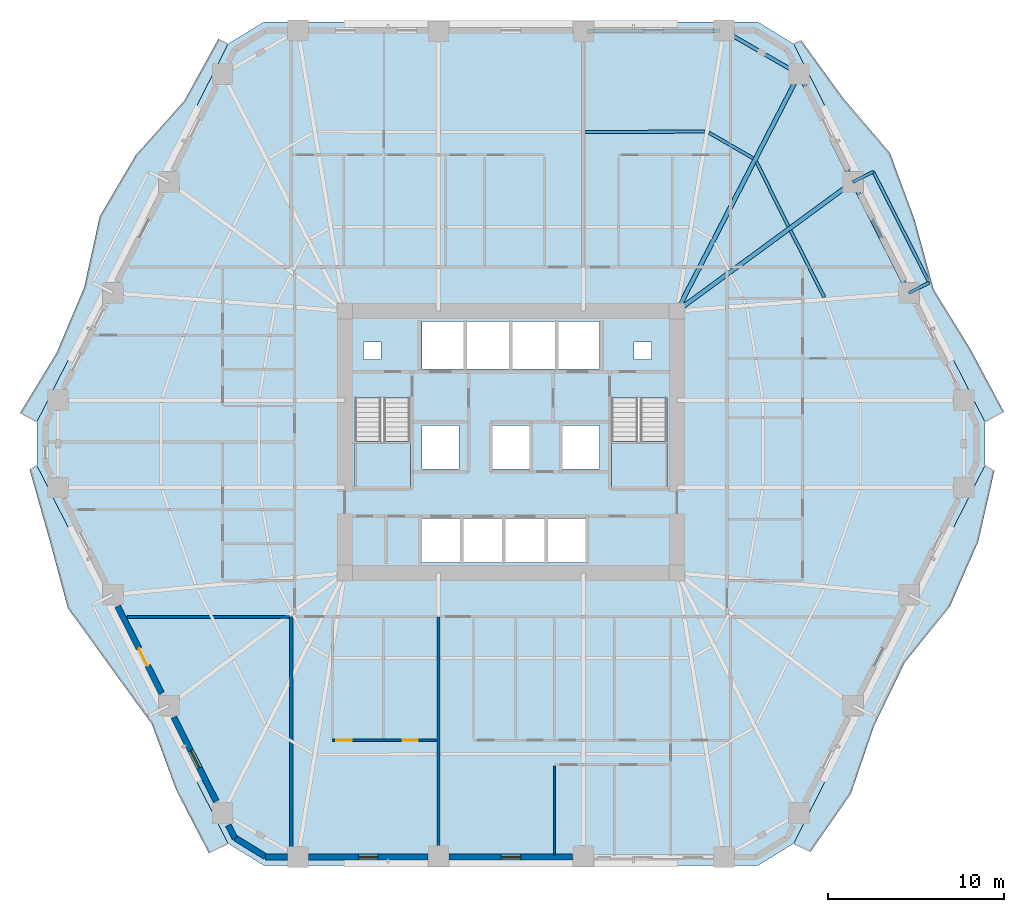
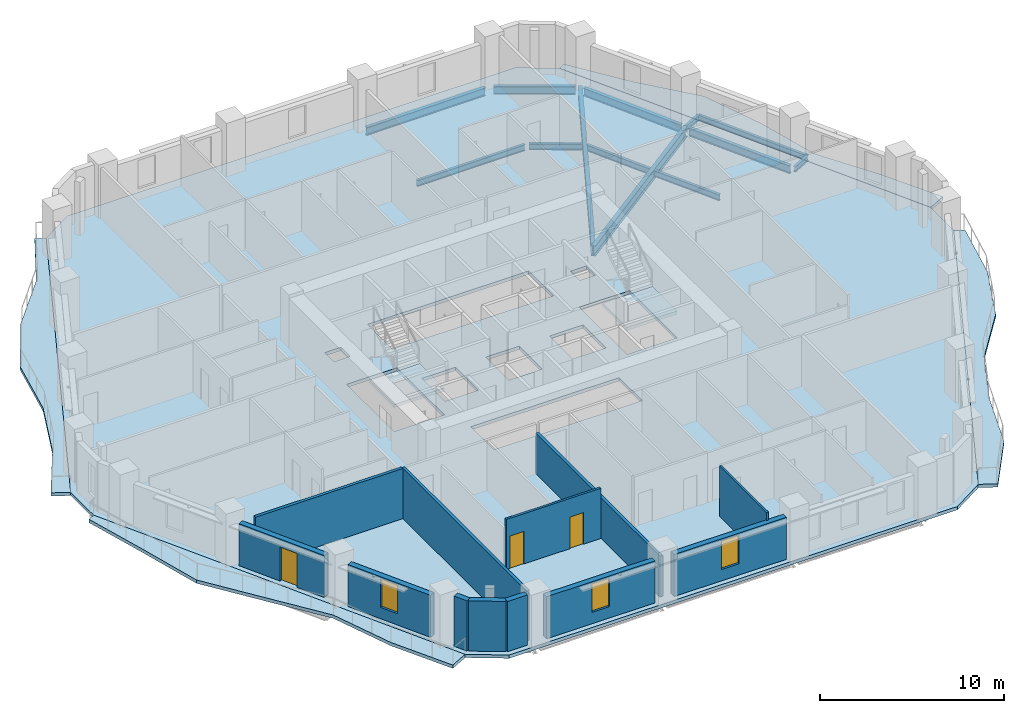
# One storey, part 3 of 14: 13 beams, 12 walls, 7 slabs, 3 doors, 3 windows, 6 openings, 2 elements without a shape of their own.
"""IFC4 building model written with IfcOpenShell, lengths in metres."""

from ifc_helpers import new_model, si_unit, direction, frame, frame_2d, origin, origin_2d, place, context, subcontext, project, spatial, polyline, rectangle, i_section, outline, extrude, material, layer, layer_set, material_profile, profile_set, type_object, element, fill, aggregate, save


model = new_model("IFC4")

# Units and contexts
model_context = context("Model", 3, precision=1e-05, world=origin(), true_north=direction((0.0, 1.0)))
body_context = subcontext(model_context, "Body", "Model", "MODEL_VIEW")
ifc_project = project(units=[si_unit("LENGTHUNIT", "METRE"), si_unit("AREAUNIT", "SQUARE_METRE"), si_unit("VOLUMEUNIT", "CUBIC_METRE"), si_unit("PLANEANGLEUNIT", "RADIAN"), si_unit("MASSUNIT", "GRAM", prefix="KILO")], contexts=[model_context])

# Site, building, storey
site_placement = place(None, origin())
site = spatial("IfcSite", under=ifc_project, at=site_placement, CompositionType="ELEMENT")
building_placement = place(site_placement, origin())
building = spatial("IfcBuilding", under=site, at=building_placement, Name="Cinnabar Lancet Tower", CompositionType="ELEMENT")
storey_placement = place(building_placement, frame((0.0, 0.0, 35.550048828125)))
storey = spatial("IfcBuildingStorey", under=building, at=storey_placement, Name="L08", CompositionType="ELEMENT", Elevation=35.550048828125)

# Beams
ifc_material_1 = material(Name="Structural steel S355", Category="steel")
ifc_material_profile_1 = material_profile(ifc_material_1, i_section(OverallWidth=0.177978515625, OverallDepth=0.406494140625, WebThickness=0.0078125, FlangeThickness=0.0126953125, FilletRadius=0.01025390625, at=origin_2d()), Name="UKB 406x178x60")
ifc_profile_set_1 = profile_set([ifc_material_profile_1], Name="Structural steel S355")
beam_type_1 = type_object("IfcBeamType", Name="STR-BM-JST-406", PredefinedType="JOIST", material=ifc_profile_set_1)
beam_1_placement = place(storey_placement, frame((50.23388671875, 34.132080078125, -0.423095703125), z_axis=(-0.450856172856, 0.8925966118, 0.0), x_axis=(-0.8925966118, -0.450856172856, 0.0)))
element("IfcBeam", 1, at=beam_1_placement, inside=storey, type_object=beam_type_1, Name="L08 Secondary Floor Joist 27", PredefinedType="JOIST", context=body_context, shape_type="SweptSolid", body=[
    extrude(i_section(OverallWidth=0.177978515625, OverallDepth=0.406494140625, WebThickness=0.0078125, FlangeThickness=0.0126953125, FilletRadius=0.01025390625, at=origin_2d()), origin(), (0.0, 0.0, 1.0), 4.25830078125),
])
beam_2_placement = place(storey_placement, frame((48.197998046875, 38.1630859375, -0.423095703125), z_axis=(-0.445641523434, 0.895211501597, 0.0), x_axis=(-0.895211501597, -0.445641523434, 0.0)))
element("IfcBeam", 2, at=beam_2_placement, inside=storey, type_object=beam_type_1, Name="L08 Secondary Floor Joist 29", PredefinedType="JOIST", context=body_context, shape_type="SweptSolid", body=[
    extrude(i_section(OverallWidth=0.177978515625, OverallDepth=0.406494140625, WebThickness=0.0078125, FlangeThickness=0.0126953125, FilletRadius=0.01025390625, at=origin_2d()), origin(), (0.0, 0.0, 1.0), 4.1015625),
])
beam_3_placement = place(storey_placement, frame((46.18994140625, 42.0390625, -0.423095703125), z_axis=(-0.865209684948, 0.501410212373, 0.0), x_axis=(-0.501410212373, -0.865209684948, 0.0)))
element("IfcBeam", 3, at=beam_3_placement, inside=storey, type_object=beam_type_1, Name="L08 Secondary Floor Joist 31", PredefinedType="JOIST", context=body_context, shape_type="SweptSolid", body=[
    extrude(i_section(OverallWidth=0.177978515625, OverallDepth=0.406494140625, WebThickness=0.0078125, FlangeThickness=0.0126953125, FilletRadius=0.01025390625, at=origin_2d()), origin(), (0.0, 0.0, 1.0), 2.90771484375),
])
beam_4_placement = place(storey_placement, frame((43.427978515625, 43.56396484375, -0.423095703125), z_axis=(-0.999988871223, -0.004717778015, 0.0), x_axis=(0.004717778015, -0.999988871223, 0.0)))
element("IfcBeam", 4, at=beam_4_placement, inside=storey, type_object=beam_type_1, Name="L08 Secondary Floor Joist 33", PredefinedType="JOIST", context=body_context, shape_type="SweptSolid", body=[
    extrude(i_section(OverallWidth=0.177978515625, OverallDepth=0.406494140625, WebThickness=0.0078125, FlangeThickness=0.0126953125, FilletRadius=0.01025390625, at=origin_2d()), origin(), (0.0, 0.0, 1.0), 6.779052734375),
])
ifc_material_2 = material(Name="Structural steel S355", Category="steel")
ifc_material_profile_2 = material_profile(ifc_material_2, i_section(OverallWidth=0.209228515625, OverallDepth=0.533203125, WebThickness=0.010009765625, FlangeThickness=0.015625, FilletRadius=0.0126953125, at=origin_2d()), Name="UKB 533x210x92")
ifc_profile_set_2 = profile_set([ifc_material_profile_2], Name="Structural steel S355")
beam_type_2 = type_object("IfcBeamType", Name="STR-BM-SPN-533", PredefinedType="SPANDREL", material=ifc_profile_set_2)
beam_5_placement = place(storey_placement, frame((54.93310546875, 34.60302734375, -0.487060546875), z_axis=(-0.450703143926, 0.892673891214, 0.0), x_axis=(-0.892673891214, -0.450703143926, 0.0)))
element("IfcBeam", 5, at=beam_5_placement, inside=storey, type_object=beam_type_2, Name="L08 Perimeter Spandrel 10", PredefinedType="SPANDREL", context=body_context, shape_type="SweptSolid", body=[
    extrude(i_section(OverallWidth=0.209228515625, OverallDepth=0.533203125, WebThickness=0.010009765625, FlangeThickness=0.015625, FilletRadius=0.0126953125, at=origin_2d()), origin(), (0.0, 0.0, 1.0), 6.570068359375),
])
beam_6_placement = place(storey_placement, frame((51.748046875, 40.9150390625, -0.487060546875), z_axis=(-0.445953050023, 0.89505635419, 0.0), x_axis=(-0.89505635419, -0.445953050023, 0.0)))
element("IfcBeam", 6, at=beam_6_placement, inside=storey, type_object=beam_type_2, Name="L08 Perimeter Spandrel 11", PredefinedType="SPANDREL", context=body_context, shape_type="SweptSolid", body=[
    extrude(i_section(OverallWidth=0.209228515625, OverallDepth=0.533203125, WebThickness=0.010009765625, FlangeThickness=0.015625, FilletRadius=0.0126953125, at=origin_2d()), origin(), (0.0, 0.0, 1.0), 6.35498046875),
])
beam_7_placement = place(storey_placement, frame((48.5869140625, 46.951904296875, -0.487060546875), z_axis=(-0.865147238596, 0.501517951374, 0.0), x_axis=(-0.501517951374, -0.865147238596, 0.0)))
element("IfcBeam", 7, at=beam_7_placement, inside=storey, type_object=beam_type_2, Name="L08 Perimeter Spandrel 12", PredefinedType="SPANDREL", context=body_context, shape_type="SweptSolid", body=[
    extrude(i_section(OverallWidth=0.209228515625, OverallDepth=0.533203125, WebThickness=0.010009765625, FlangeThickness=0.015625, FilletRadius=0.0126953125, at=origin_2d()), origin(), (0.0, 0.0, 1.0), 4.454833984375),
])
beam_8_placement = place(storey_placement, frame((44.26708984375, 49.30908203125, -0.487060546875), z_axis=(-0.99997856757, -0.006547090947, 0.0), x_axis=(0.006547090947, -0.99997856757, 0.0)))
element("IfcBeam", 8, at=beam_8_placement, inside=storey, type_object=beam_type_2, Name="L08 Perimeter Spandrel 13", PredefinedType="SPANDREL", context=body_context, shape_type="SweptSolid", body=[
    extrude(i_section(OverallWidth=0.209228515625, OverallDepth=0.533203125, WebThickness=0.010009765625, FlangeThickness=0.015625, FilletRadius=0.0126953125, at=origin_2d()), origin(), (0.0, 0.0, 1.0), 7.495361328125),
])
ifc_material_3 = material(Name="Structural steel S355", Category="steel")
ifc_material_profile_3 = material_profile(ifc_material_3, i_section(OverallWidth=0.253662109375, OverallDepth=0.68359375, WebThickness=0.012451171875, FlangeThickness=0.01904296875, FilletRadius=0.01513671875, at=origin_2d()), Name="UKB 686x254x140")
ifc_profile_set_3 = profile_set([ifc_material_profile_3], Name="Structural steel S355")
beam_type_3 = type_object("IfcBeamType", Name="STR-BM-UKB686-140", PredefinedType="BEAM", material=ifc_profile_set_3)
beam_9_placement = place(storey_placement, frame((51.85888671875, 40.69091796875, -0.56201171875), z_axis=(-0.80636497312, -0.591418236213, 0.0), x_axis=(0.591418236213, -0.80636497312, 0.0)))
element("IfcBeam", 9, at=beam_9_placement, inside=storey, type_object=beam_type_3, Name="L08 Corner Collector Girder 3", PredefinedType="BEAM", context=body_context, shape_type="SweptSolid", body=[
    extrude(i_section(OverallWidth=0.253662109375, OverallDepth=0.68359375, WebThickness=0.012451171875, FlangeThickness=0.01904296875, FilletRadius=0.01513671875, at=origin_2d()), origin(), (0.0, 0.0, 1.0), 12.412353515625),
])
beam_10_placement = place(storey_placement, frame((48.802978515625, 46.826904296875, -0.56201171875), z_axis=(-0.458492410387, -0.888698323177, 0.0), x_axis=(0.888698323177, -0.458492410387, 0.0)))
element("IfcBeam", 10, at=beam_10_placement, inside=storey, type_object=beam_type_3, Name="L08 Primary Floor Girder 12", PredefinedType="BEAM", context=body_context, shape_type="SweptSolid", body=[
    extrude(i_section(OverallWidth=0.253662109375, OverallDepth=0.68359375, WebThickness=0.012451171875, FlangeThickness=0.01904296875, FilletRadius=0.01513671875, at=origin_2d()), origin(), (0.0, 0.0, 1.0), 15.16455078125),
])
ifc_material_4 = material(Name="Structural steel S355", Category="steel")
ifc_material_profile_4 = material_profile(ifc_material_4, i_section(OverallWidth=0.17138671875, OverallDepth=0.35498046875, WebThickness=0.00732421875, FlangeThickness=0.011474609375, FilletRadius=0.01025390625, at=origin_2d()), Name="UKB 356x171x51")
ifc_profile_set_4 = profile_set([ifc_material_profile_4], Name="Structural steel S355")
beam_type_4 = type_object("IfcBeamType", Name="STR-BM-WAV-OUT", PredefinedType="BEAM", material=ifc_profile_set_4)
for number, where, z_axis, x_axis, name in (
    (11, (55.0458984375, 34.3798828125, -0.39794921875), (0.892238560088, 0.451564338597, 0.0), (-0.451564338597, 0.892238560088, 0.0), "L08 Face 3 Balcony Outlooker A"),
    (12, (51.85888671875, 40.69091796875, -0.39794921875), (0.892238560088, 0.451564338597, 0.0), (-0.451564338597, 0.892238560088, 0.0), "L08 Face 3 Balcony Outlooker B"),
):
    element("IfcBeam", number, at=place(storey_placement, frame(where, z_axis=z_axis, x_axis=x_axis)), inside=storey, type_object=beam_type_4, Name=name, PredefinedType="BEAM", context=body_context, shape_type="SweptSolid", body=[
        extrude(i_section(OverallWidth=0.17138671875, OverallDepth=0.35498046875, WebThickness=0.00732421875, FlangeThickness=0.011474609375, FilletRadius=0.01025390625, at=origin_2d()), origin(), (0.0, 0.0, 1.0), 1.30029296875),
    ])
ifc_material_5 = material(Name="Structural steel S355", Category="steel")
ifc_material_profile_5 = material_profile(ifc_material_5, i_section(OverallWidth=0.17138671875, OverallDepth=0.35498046875, WebThickness=0.00732421875, FlangeThickness=0.011474609375, FilletRadius=0.01025390625, at=origin_2d()), Name="UKB 356x171x51")
ifc_profile_set_5 = profile_set([ifc_material_profile_5], Name="Structural steel S355")
beam_type_5 = type_object("IfcBeamType", Name="STR-BM-WAV-TRIM", PredefinedType="SPANDREL", material=ifc_profile_set_5)
beam_11_placement = place(storey_placement, frame((56.2060546875, 34.967041015625, -0.39794921875), z_axis=(-0.450773692627, 0.892638268301, 0.0), x_axis=(-0.892638268301, -0.450773692627, 0.0)))
element("IfcBeam", 13, at=beam_11_placement, inside=storey, type_object=beam_type_5, Name="L08 Face 3 Balcony Edge Trimmer", PredefinedType="SPANDREL", context=body_context, shape_type="SweptSolid", body=[
    extrude(i_section(OverallWidth=0.17138671875, OverallDepth=0.35498046875, WebThickness=0.00732421875, FlangeThickness=0.011474609375, FilletRadius=0.01025390625, at=origin_2d()), origin(), (0.0, 0.0, 1.0), 7.070068359375),
])

# Stair, slab
ifc_material_6 = material(Name="Concrete C40/50", Category="concrete")
stair_type = type_object("IfcStairType", Name="ST-CORE", PredefinedType="HALF_TURN_STAIR", material=ifc_material_6)
stair_1_placement = place(storey_placement, origin())
stair_1 = element("IfcStair", 14, at=stair_1_placement, inside=storey, type_object=stair_type, Name="L08 ST-1", PredefinedType="HALF_TURN_STAIR")
ifc_material_7 = material(Name="Concrete C40/50", Category="concrete")
ifc_layer_1 = layer(ifc_material_7, 0.199951171875)
ifc_layer_set_1 = layer_set([ifc_layer_1], Name="Concrete C40/50")
slab_type_1 = type_object("IfcSlabType", Name="LANDING-CORE", PredefinedType="LANDING", material=ifc_layer_set_1)
slab_1_placement = place(storey_placement, frame((0.0, 0.0, 1.574951171875)))
slab_1 = element("IfcSlab", 15, at=slab_1_placement, type_object=slab_type_1, Name="ST-1 landing 1", PredefinedType="LANDING", context=body_context, shape_type="SweptSolid", body=[
    extrude(outline(polyline([(23.52490234375, 25.925048828125), (23.52490234375, 23.25), (26.675048828125, 23.25), (26.675048828125, 25.925048828125), (23.52490234375, 25.925048828125)])), origin(), (0.0, 0.0, 1.0), 0.199951171875),
])
aggregate(stair_1, [slab_1])

stair_2_placement = place(storey_placement, origin())
stair_2 = element("IfcStair", 16, at=stair_2_placement, inside=storey, type_object=stair_type, Name="L08 ST-2", PredefinedType="HALF_TURN_STAIR")
slab_2_placement = place(storey_placement, frame((0.0, 0.0, 1.574951171875)))
slab_2 = element("IfcSlab", 17, at=slab_2_placement, type_object=slab_type_1, Name="ST-2 landing 1", PredefinedType="LANDING", context=body_context, shape_type="SweptSolid", body=[
    extrude(outline(polyline([(38.125, 25.925048828125), (38.125, 23.25), (41.27490234375, 23.25), (41.27490234375, 25.925048828125), (38.125, 25.925048828125)])), origin(), (0.0, 0.0, 1.0), 0.199951171875),
])
aggregate(stair_2, [slab_2])

# Slabs
ifc_material_8 = material(Name="Concrete C40/50", Category="concrete")
ifc_layer_2 = layer(ifc_material_8, 0.219970703125)
ifc_layer_set_2 = layer_set([ifc_layer_2], Name="Concrete C40/50")
slab_type_2 = type_object("IfcSlabType", Name="STR-SLB-FLR-220", PredefinedType="FLOOR", material=ifc_layer_set_2)
slab_3_placement = place(storey_placement, frame((0.0, 0.0, -0.219970703125)))
element("IfcSlab", 18, at=slab_3_placement, inside=storey, type_object=slab_type_2, Name="L08 Structural Floor Slab", PredefinedType="FLOOR", context=body_context, shape_type="SweptSolid", body=[
    extrude(outline(polyline([(16.31201171875, 3.049072265625), (18.343994140625, 1.800048828125), (46.4560546875, 1.800048828125), (48.488037109375, 3.049072265625), (59.367919921875, 24.551025390625), (59.367919921875, 27.049072265625), (48.488037109375, 48.551025390625), (46.4560546875, 49.800048828125), (18.343994140625, 49.800048828125), (16.31201171875, 48.551025390625), (5.431884765625, 27.049072265625), (5.431884765625, 24.551025390625), (16.31201171875, 3.049072265625)]), holes=[polyline([(23.52490234375, 23.25), (26.675048828125, 23.25), (26.675048828125, 28.3994140625), (23.52490234375, 28.3994140625), (23.52490234375, 23.25)]), polyline([(38.125, 23.25), (41.27490234375, 23.25), (41.27490234375, 28.3994140625), (38.125, 28.3994140625), (38.125, 23.25)]), polyline([(27.35009765625, 30.050048828125), (37.449951171875, 30.050048828125), (37.449951171875, 32.75), (27.35009765625, 32.75), (27.35009765625, 30.050048828125)]), polyline([(27.35009765625, 19.050048828125), (36.64990234375, 19.050048828125), (36.64990234375, 21.550048828125), (27.35009765625, 21.550048828125), (27.35009765625, 19.050048828125)]), polyline([(27.35009765625, 24.35009765625), (29.449951171875, 24.35009765625), (29.449951171875, 26.85009765625), (27.35009765625, 26.85009765625), (27.35009765625, 24.35009765625)]), polyline([(35.35009765625, 24.35009765625), (37.449951171875, 24.35009765625), (37.449951171875, 26.85009765625), (35.35009765625, 26.85009765625), (35.35009765625, 24.35009765625)]), polyline([(31.35009765625, 24.35009765625), (33.449951171875, 24.35009765625), (33.449951171875, 26.85009765625), (31.35009765625, 26.85009765625), (31.35009765625, 24.35009765625)]), polyline([(24.0, 30.60009765625), (25.0, 30.60009765625), (25.0, 31.60009765625), (24.0, 31.60009765625), (24.0, 30.60009765625)]), polyline([(39.39990234375, 30.60009765625), (40.39990234375, 30.60009765625), (40.39990234375, 31.60009765625), (39.39990234375, 31.60009765625), (39.39990234375, 30.60009765625)])]), origin(), (0.0, 0.0, 1.0), 0.219970703125),
])
ifc_material_9 = material(Name="Concrete C45/55", Category="concrete")
ifc_layer_3 = layer(ifc_material_9, 0.219970703125)
ifc_layer_set_3 = layer_set([ifc_layer_3], Name="Concrete C45/55")
slab_type_3 = type_object("IfcSlabType", Name="STR-SLB-WAV-220", PredefinedType="FLOOR", material=ifc_layer_set_3)
slab_4_placement = place(storey_placement, frame((0.0, 0.0, -0.219970703125)))
element("IfcSlab", 19, at=slab_4_placement, inside=storey, type_object=slab_type_3, Name="L08 Face 2 Undulating Wave Balcony Slab", PredefinedType="FLOOR", context=body_context, shape_type="SweptSolid", body=[
    extrude(outline(polyline([(48.488037109375, 3.049072265625), (49.44189453125, 2.56591796875), (51.7490234375, 5.89990234375), (53.05908203125, 9.738037109375), (54.81103515625, 13.35302734375), (57.383056640625, 16.552978515625), (58.9951171875, 20.239013671875), (59.9140625, 24.27490234375), (59.367919921875, 24.551025390625), (48.488037109375, 3.049072265625)])), origin(), (0.0, 0.0, 1.0), 0.219970703125),
])
slab_5_placement = place(storey_placement, frame((0.0, 0.0, -0.219970703125)))
element("IfcSlab", 20, at=slab_5_placement, inside=storey, type_object=slab_type_3, Name="L08 Face 3 Undulating Wave Balcony Slab", PredefinedType="FLOOR", context=body_context, shape_type="SweptSolid", body=[
    extrude(outline(polyline([(59.367919921875, 27.049072265625), (60.458984375, 27.60107421875), (58.56591796875, 31.14404296875), (56.4580078125, 34.5791015625), (55.376953125, 38.532958984375), (53.97705078125, 42.325927734375), (51.300048828125, 45.472900390625), (48.908935546875, 48.763916015625), (48.488037109375, 48.551025390625), (59.367919921875, 27.049072265625)])), origin(), (0.0, 0.0, 1.0), 0.219970703125),
])
slab_6_placement = place(storey_placement, frame((0.0, 0.0, -0.219970703125)))
element("IfcSlab", 21, at=slab_6_placement, inside=storey, type_object=slab_type_3, Name="L08 Face 5 Undulating Wave Balcony Slab", PredefinedType="FLOOR", context=body_context, shape_type="SweptSolid", body=[
    extrude(outline(polyline([(16.31201171875, 48.551025390625), (15.756103515625, 48.8330078125), (13.818115234375, 45.31201171875), (11.050048828125, 42.2109375), (9.009033203125, 38.742919921875), (8.1201171875, 34.69091796875), (6.556884765625, 30.98095703125), (4.468017578125, 27.537109375), (5.431884765625, 27.049072265625), (16.31201171875, 48.551025390625)])), origin(), (0.0, 0.0, 1.0), 0.219970703125),
])
slab_7_placement = place(storey_placement, frame((0.0, 0.0, -0.219970703125)))
element("IfcSlab", 22, at=slab_7_placement, inside=storey, type_object=slab_type_3, Name="L08 Face 6 Undulating Wave Balcony Slab", PredefinedType="FLOOR", context=body_context, shape_type="SweptSolid", body=[
    extrude(outline(polyline([(5.431884765625, 24.551025390625), (5.012939453125, 24.339111328125), (6.1279296875, 20.402099609375), (7.195068359375, 16.44091796875), (9.574951171875, 13.14404296875), (11.968017578125, 9.85302734375), (13.3701171875, 6.06103515625), (15.221923828125, 2.498046875), (16.31201171875, 3.049072265625), (5.431884765625, 24.551025390625)])), origin(), (0.0, 0.0, 1.0), 0.219970703125),
])

# Walls
ifc_material_10 = material(Name="Fire-rated twin-frame acoustic drywall", Category="gypsum")
ifc_layer_4 = layer(ifc_material_10, 0.179931640625)
ifc_layer_set_4 = layer_set([ifc_layer_4], Name="Fire-rated twin-frame acoustic drywall")
wall_type_1 = type_object("IfcWallType", Name="ARC-WL-PARTY-180", PredefinedType="PARTITIONING", material=ifc_layer_set_4)
wall_1_placement = place(storey_placement, frame((19.89990234375, 2.455078125, 0.0), z_axis=(0.0, 0.0, 1.0), x_axis=(0.0, 1.0, 0.0)))
element("IfcWall", 23, at=wall_1_placement, inside=storey, type_object=wall_type_1, Name="PW-L08-SPTY-199", PredefinedType="PARTITIONING", context=body_context, shape_type="SweptSolid", body=[
    extrude(rectangle(XDim=13.494873046875, YDim=0.179931640625, at=frame_2d((6.74755859375, 0.0))), origin(), (0.0, 0.0, 1.0), 3.329833984375),
])
wall_2_placement = place(storey_placement, frame((28.278076171875, 2.455078125, 0.0), z_axis=(0.0, 0.0, 1.0), x_axis=(0.0, 1.0, 0.0)))
element("IfcWall", 24, at=wall_2_placement, inside=storey, type_object=wall_type_1, Name="PW-L08-SPTY-283", PredefinedType="PARTITIONING", context=body_context, shape_type="SweptSolid", body=[
    extrude(rectangle(XDim=13.494873046875, YDim=0.179931640625, at=frame_2d((6.74755859375, 0.0))), origin(), (0.0, 0.0, 1.0), 2.699951171875),
])
wall_3_placement = place(storey_placement, frame((10.56396484375, 15.949951171875, 0.0), z_axis=(0.0, 0.0, 1.0), x_axis=(1.0, 0.0, 0.0)))
element("IfcWall", 25, at=wall_3_placement, inside=storey, type_object=wall_type_1, Name="PW-L08-WSB", PredefinedType="PARTITIONING", context=body_context, shape_type="SweptSolid", body=[
    extrude(rectangle(XDim=9.240966796875, YDim=0.179931640625, at=frame_2d((4.62060546875, 0.0))), origin(), (0.0, 0.0, 1.0), 3.329833984375),
])
ifc_material_11 = material(Name="Gypsum plasterboard stud partition", Category="gypsum")
ifc_layer_5 = layer(ifc_material_11, 0.125)
ifc_layer_set_5 = layer_set([ifc_layer_5], Name="Gypsum plasterboard stud partition")
wall_type_2 = type_object("IfcWallType", Name="ARC-WL-UNIT-125", PredefinedType="PARTITIONING", material=ifc_layer_set_5)
wall_4_placement = place(storey_placement, frame((34.8779296875, 2.364990234375, 0.0), z_axis=(0.0, 0.0, 1.0), x_axis=(0.0, 1.0, 0.0)))
element("IfcWall", 26, at=wall_4_placement, inside=storey, type_object=wall_type_2, Name="UW-L08-S02-BD2W", PredefinedType="PARTITIONING", context=body_context, shape_type="SweptSolid", body=[
    extrude(rectangle(XDim=5.10302734375, YDim=0.125, at=frame_2d((2.551513671875, 0.0))), origin(), (0.0, 0.0, 1.0), 3.329833984375),
])

# Wall, openings, doors
ifc_material_12 = material(Name="Moisture-resistant cement-board plumbing wall", Category="masonry")
ifc_layer_6 = layer(ifc_material_12, 0.139892578125)
ifc_layer_set_6 = layer_set([ifc_layer_6], Name="Moisture-resistant cement-board plumbing wall")
wall_type_3 = type_object("IfcWallType", Name="ARC-WL-WET-140", PredefinedType="PLUMBINGWALL", material=ifc_layer_set_6)
wall_5_placement = place(storey_placement, frame((22.25, 8.93310546875, 0.0), z_axis=(0.0, 0.0, 1.0), x_axis=(1.0, 0.0, 0.0)))
wall_5 = element("IfcWall", 27, at=wall_5_placement, inside=storey, type_object=wall_type_3, Name="UW-L08-S01-SPL", PredefinedType="PLUMBINGWALL", context=body_context, shape_type="SweptSolid", body=[
    extrude(rectangle(XDim=5.93310546875, YDim=0.139892578125, at=frame_2d((2.966552734375, 0.0))), origin(), (0.0, 0.0, 1.0), 3.329833984375),
])
opening_1_placement = place(wall_5_placement, frame((3.988037109375, 0.0, 0.0)))
opening_1 = element("IfcOpeningElement", 28, at=opening_1_placement, cuts=wall_5, Name="Opening BD-01", PredefinedType="OPENING", context=body_context, shape_type="SweptSolid", body=[
    extrude(rectangle(XDim=0.860107421875, YDim=2.10009765625, at=frame_2d((0.43017578125, 1.050048828125))), frame((0.0, 0.079833984375, 0.0), z_axis=(0.0, -1.0, 0.0), x_axis=(1.0, 0.0, 0.0)), (0.0, 0.0, 1.0), 0.159912109375),
])
opening_2_placement = place(wall_5_placement, frame((0.219970703125, 0.0, 0.0)))
opening_2 = element("IfcOpeningElement", 29, at=opening_2_placement, cuts=wall_5, Name="Opening RD-02", PredefinedType="OPENING", context=body_context, shape_type="SweptSolid", body=[
    extrude(rectangle(XDim=0.8798828125, YDim=2.14990234375, at=frame_2d((0.43994140625, 1.074951171875))), frame((0.0, 0.079833984375, 0.0), z_axis=(0.0, -1.0, 0.0), x_axis=(1.0, 0.0, 0.0)), (0.0, 0.0, 1.0), 0.159912109375),
])
ifc_material_13 = material(Name="Moisture-resistant timber bathroom door", Category="wood")
door_type_1 = type_object("IfcDoorType", Name="ARC-DR-BATH", OperationType="NOTDEFINED", PredefinedType="DOOR", material=ifc_material_13)
door_1_placement = place(opening_1_placement, origin())
door_1 = element("IfcDoor", 30, at=door_1_placement, inside=storey, type_object=door_type_1, Name="DR-L08-S01-BTH", OperationType="SINGLE_SWING_RIGHT", OverallHeight=2.10009765625, OverallWidth=0.860107421875, PredefinedType="DOOR", context=body_context, shape_type="SweptSolid", body=[
    extrude(rectangle(XDim=0.860107421875, YDim=2.10009765625, at=frame_2d((0.43017578125, 1.050048828125))), frame((0.0, 0.02490234375, 0.0), z_axis=(0.0, -1.0, 0.0), x_axis=(1.0, 0.0, 0.0)), (0.0, 0.0, 1.0), 0.050048828125),
])
fill(opening_1, door_1)
ifc_material_14 = material(Name="Engineered timber study door", Category="wood")
door_type_2 = type_object("IfcDoorType", Name="ARC-DR-STUDY", OperationType="NOTDEFINED", PredefinedType="DOOR", material=ifc_material_14)
door_2_placement = place(opening_2_placement, origin())
door_2 = element("IfcDoor", 31, at=door_2_placement, inside=storey, type_object=door_type_2, Name="DR-L08-S01-KIT", OperationType="SINGLE_SWING_LEFT", OverallHeight=2.14990234375, OverallWidth=0.8798828125, PredefinedType="DOOR", context=body_context, shape_type="SweptSolid", body=[
    extrude(rectangle(XDim=0.8798828125, YDim=2.14990234375, at=frame_2d((0.43994140625, 1.074951171875))), frame((0.0, 0.02490234375, 0.0), z_axis=(0.0, -1.0, 0.0), x_axis=(1.0, 0.0, 0.0)), (0.0, 0.0, 1.0), 0.050048828125),
])
fill(opening_2, door_2)

# Walls
ifc_material_15 = material(Name="Cinnabar red clay brick", Category="masonry")
ifc_layer_7 = layer(ifc_material_15, 0.340087890625)
ifc_layer_set_7 = layer_set([ifc_layer_7], Name="Cinnabar red clay brick")
wall_type_4 = type_object("IfcWallType", Name="ENV-WL-BRK-RED-340", PredefinedType="STANDARD", material=ifc_layer_set_7)
wall_6_placement = place(storey_placement, frame((16.719970703125, 3.362060546875, 0.0), z_axis=(0.0, 0.0, 1.0), x_axis=(0.851816122478, -0.523840904748, 0.0)))
element("IfcWall", 32, at=wall_6_placement, inside=storey, type_object=wall_type_4, Name="L08 Chamfered Corner Brick Pier 1.1", PredefinedType="STANDARD", context=body_context, shape_type="SweptSolid", body=[
    extrude(rectangle(XDim=2.01806640625, YDim=0.340087890625, at=frame_2d((1.009033203125, 0.0))), origin(), (0.0, 0.0, 1.0), 3.329833984375),
])
wall_7_placement = place(storey_placement, frame((18.43408203125, 2.280029296875, 0.0), z_axis=(0.0, 0.0, 1.0), x_axis=(1.0, 0.0, 0.0)))
element("IfcWall", 33, at=wall_7_placement, inside=storey, type_object=wall_type_4, Name="L08 Face 1 Masonry Bay Wall 1", PredefinedType="STANDARD", context=body_context, shape_type="SweptSolid", body=[
    extrude(rectangle(XDim=1.244873046875, YDim=0.340087890625, at=frame_2d((0.62255859375, 0.0))), origin(), (0.0, 0.0, 1.0), 3.329833984375),
])

# Wall, opening, window
wall_8_placement = place(storey_placement, frame((20.886962890625, 2.280029296875, 0.0), z_axis=(0.0, 0.0, 1.0), x_axis=(1.0, 0.0, 0.0)))
wall_8 = element("IfcWall", 34, at=wall_8_placement, inside=storey, type_object=wall_type_4, Name="L08 Face 1 Masonry Bay Wall 2", PredefinedType="STANDARD", context=body_context, shape_type="SweptSolid", body=[
    extrude(rectangle(XDim=6.787109375, YDim=0.340087890625, at=frame_2d((3.3935546875, 0.0))), origin(), (0.0, 0.0, 1.0), 2.786865234375),
])
opening_3_placement = place(wall_8_placement, frame((2.843017578125, 0.0, 0.75)))
opening_3 = element("IfcOpeningElement", 35, at=opening_3_placement, cuts=wall_8, Name="Opening WN-04", PredefinedType="OPENING", context=body_context, shape_type="SweptSolid", body=[
    extrude(rectangle(XDim=1.10009765625, YDim=1.886962890625, at=frame_2d((0.550048828125, 0.943359375))), frame((0.0, 0.179931640625, 0.0), z_axis=(0.0, -1.0, 0.0), x_axis=(1.0, 0.0, 0.0)), (0.0, 0.0, 1.0), 0.360107421875),
])
ifc_material_16 = material(Name="Thermally broken bronze-anodized aluminium tall lancet window", Category="aluminium")
window_type = type_object("IfcWindowType", Name="ENV-WN-LANCET-1100", PartitioningType="SINGLE_PANEL", PredefinedType="WINDOW", material=ifc_material_16)
window_1_placement = place(opening_3_placement, origin())
window_1 = element("IfcWindow", 36, at=window_1_placement, inside=storey, type_object=window_type, Name="L08 Face 1 Gothic Lancet Window 2", OverallHeight=1.886962890625, OverallWidth=1.10009765625, PartitioningType="SINGLE_PANEL", PredefinedType="WINDOW", context=body_context, shape_type="SweptSolid", body=[
    extrude(rectangle(XDim=1.10009765625, YDim=1.886962890625, at=frame_2d((0.550048828125, 0.943359375))), frame((0.0, 0.030029296875, 0.0), z_axis=(0.0, -1.0, 0.0), x_axis=(1.0, 0.0, 0.0)), (0.0, 0.0, 1.0), 0.06005859375),
])
fill(opening_3, window_1)

wall_9_placement = place(storey_placement, frame((28.882080078125, 2.280029296875, 0.0), z_axis=(0.0, 0.0, 1.0), x_axis=(1.0, 0.0, 0.0)))
wall_9 = element("IfcWall", 37, at=wall_9_placement, inside=storey, type_object=wall_type_4, Name="L08 Face 1 Masonry Bay Wall 3", PredefinedType="STANDARD", context=body_context, shape_type="SweptSolid", body=[
    extrude(rectangle(XDim=7.035888671875, YDim=0.340087890625, at=frame_2d((3.51806640625, 0.0))), origin(), (0.0, 0.0, 1.0), 2.786865234375),
])
opening_4_placement = place(wall_9_placement, frame((2.968017578125, 0.0, 0.75)))
opening_4 = element("IfcOpeningElement", 38, at=opening_4_placement, cuts=wall_9, Name="Opening WN-04", PredefinedType="OPENING", context=body_context, shape_type="SweptSolid", body=[
    extrude(rectangle(XDim=1.10009765625, YDim=1.886962890625, at=frame_2d((0.550048828125, 0.943359375))), frame((0.0, 0.179931640625, 0.0), z_axis=(0.0, -1.0, 0.0), x_axis=(1.0, 0.0, 0.0)), (0.0, 0.0, 1.0), 0.360107421875),
])
window_2_placement = place(opening_4_placement, origin())
window_2 = element("IfcWindow", 39, at=window_2_placement, inside=storey, type_object=window_type, Name="L08 Face 1 Gothic Lancet Window 3", OverallHeight=1.886962890625, OverallWidth=1.10009765625, PartitioningType="SINGLE_PANEL", PredefinedType="WINDOW", context=body_context, shape_type="SweptSolid", body=[
    extrude(rectangle(XDim=1.10009765625, YDim=1.886962890625, at=frame_2d((0.550048828125, 0.943359375))), frame((0.0, 0.030029296875, 0.0), z_axis=(0.0, -1.0, 0.0), x_axis=(1.0, 0.0, 0.0)), (0.0, 0.0, 1.0), 0.06005859375),
])
fill(opening_4, window_2)

# Wall, opening, door
wall_10_placement = place(storey_placement, frame((10.02392578125, 16.5390625, 0.0), z_axis=(0.0, 0.0, 1.0), x_axis=(0.451627137896, -0.892206774417, 0.0)))
wall_10 = element("IfcWall", 40, at=wall_10_placement, inside=storey, type_object=wall_type_4, Name="L08 Face 6 Masonry Bay Wall 3", PredefinedType="STANDARD", context=body_context, shape_type="SweptSolid", body=[
    extrude(rectangle(XDim=5.546875, YDim=0.340087890625, at=frame_2d((2.7734375, 0.0))), origin(), (0.0, 0.0, 1.0), 2.786865234375),
])
opening_5_placement = place(wall_10_placement, frame((2.678955078125, 0.0, 0.0)))
opening_5 = element("IfcOpeningElement", 41, at=opening_5_placement, cuts=wall_10, Name="Opening TD-01", PredefinedType="OPENING", context=body_context, shape_type="SweptSolid", body=[
    extrude(rectangle(XDim=1.10009765625, YDim=2.25, at=frame_2d((0.550048828125, 1.125))), frame((0.0, 0.179931640625, 0.0), z_axis=(0.0, -1.0, 0.0), x_axis=(1.0, 0.0, 0.0)), (0.0, 0.0, 1.0), 0.360107421875),
])
ifc_material_17 = material(Name="Thermally broken low-E glazed balcony terrace door", Category="wood")
door_type_3 = type_object("IfcDoorType", Name="ARC-DR-BALC", OperationType="NOTDEFINED", PredefinedType="DOOR", material=ifc_material_17)
door_3_placement = place(opening_5_placement, origin())
door_3 = element("IfcDoor", 42, at=door_3_placement, inside=storey, type_object=door_type_3, Name="L08 Face 6 Glazed Terrace Door", OperationType="SINGLE_SWING_RIGHT", OverallHeight=2.25, OverallWidth=1.10009765625, PredefinedType="DOOR", context=body_context, shape_type="SweptSolid", body=[
    extrude(rectangle(XDim=1.10009765625, YDim=2.25, at=frame_2d((0.550048828125, 1.125))), frame((0.0, 0.02490234375, 0.0), z_axis=(0.0, -1.0, 0.0), x_axis=(1.0, 0.0, 0.0)), (0.0, 0.0, 1.0), 0.050048828125),
])
fill(opening_5, door_3)

# Wall, opening, window
wall_11_placement = place(storey_placement, frame((13.217041015625, 10.22802734375, 0.0), z_axis=(0.0, 0.0, 1.0), x_axis=(0.451697561555, -0.892171123095, 0.0)))
wall_11 = element("IfcWall", 43, at=wall_11_placement, inside=storey, type_object=wall_type_4, Name="L08 Face 6 Masonry Bay Wall 4", PredefinedType="STANDARD", context=body_context, shape_type="SweptSolid", body=[
    extrude(rectangle(XDim=5.350830078125, YDim=0.340087890625, at=frame_2d((2.67529296875, 0.0))), origin(), (0.0, 0.0, 1.0), 2.786865234375),
])
opening_6_placement = place(wall_11_placement, frame((2.125, 0.0, 0.75)))
opening_6 = element("IfcOpeningElement", 44, at=opening_6_placement, cuts=wall_11, Name="Opening WN-04", PredefinedType="OPENING", context=body_context, shape_type="SweptSolid", body=[
    extrude(rectangle(XDim=1.10009765625, YDim=1.886962890625, at=frame_2d((0.550048828125, 0.943359375))), frame((0.0, 0.179931640625, 0.0), z_axis=(0.0, -1.0, 0.0), x_axis=(1.0, 0.0, 0.0)), (0.0, 0.0, 1.0), 0.360107421875),
])
window_3_placement = place(opening_6_placement, origin())
window_3 = element("IfcWindow", 45, at=window_3_placement, inside=storey, type_object=window_type, Name="L08 Face 6 Gothic Lancet Window 4", OverallHeight=1.886962890625, OverallWidth=1.10009765625, PartitioningType="SINGLE_PANEL", PredefinedType="WINDOW", context=body_context, shape_type="SweptSolid", body=[
    extrude(rectangle(XDim=1.10009765625, YDim=1.886962890625, at=frame_2d((0.550048828125, 0.943359375))), frame((0.0, 0.030029296875, 0.0), z_axis=(0.0, -1.0, 0.0), x_axis=(1.0, 0.0, 0.0)), (0.0, 0.0, 1.0), 0.06005859375),
])
fill(opening_6, window_3)

# Wall
wall_12_placement = place(storey_placement, frame((16.322021484375, 4.092041015625, 0.0), z_axis=(0.0, 0.0, 1.0), x_axis=(0.45187807258, -0.892079709175, 0.0)))
element("IfcWall", 46, at=wall_12_placement, inside=storey, type_object=wall_type_4, Name="L08 Face 6 Masonry Bay Wall 5", PredefinedType="STANDARD", context=body_context, shape_type="SweptSolid", body=[
    extrude(rectangle(XDim=0.83642578125, YDim=0.340087890625, at=frame_2d((0.418212890625, 0.0))), origin(), (0.0, 0.0, 1.0), 3.329833984375),
])

save(model, "model.ifc")
